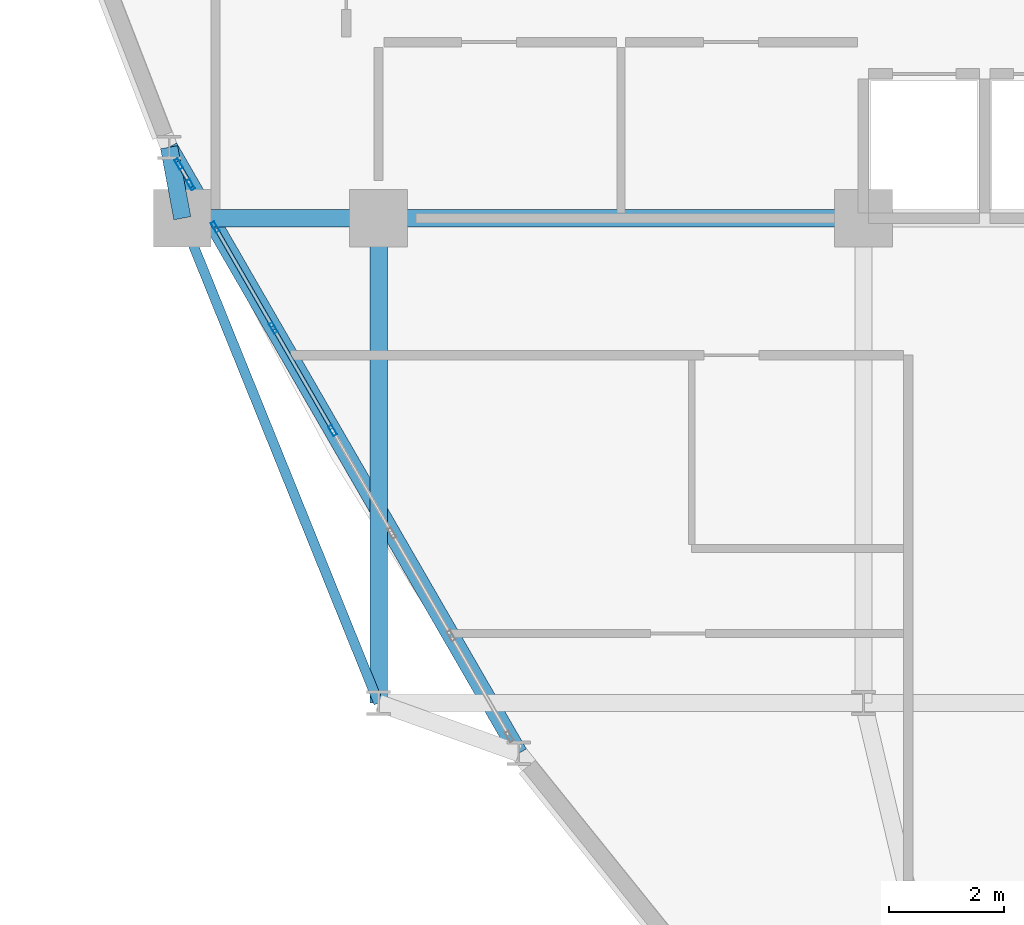
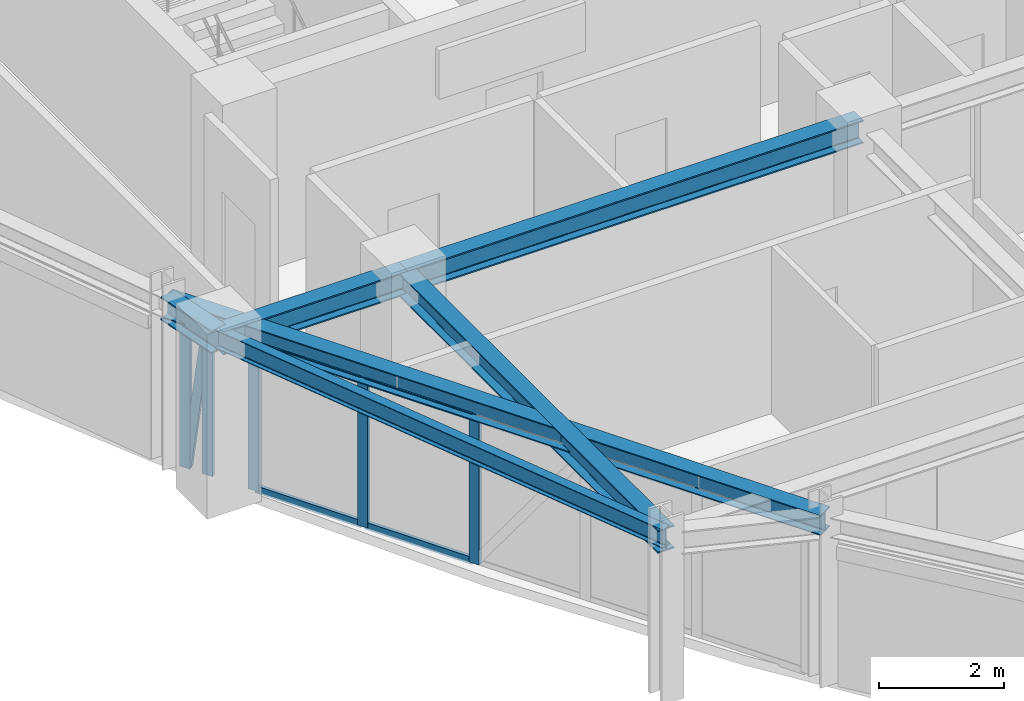
# One storey, part 5 of 16: 10 members, 6 beams, 2 elements without a shape of their own.
"""IFC4 building model written with IfcOpenShell, lengths in metres."""

from ifc_helpers import new_model, si_unit, derived_unit, direction, frame, origin, origin_2d, place, context, subcontext, project, spatial, hollow_rectangle, i_section, extrude, source, transform, mapped, material, layer, layer_set, material_profile, profile_set, type_object, element, aggregate, save


model = new_model("IFC4")

# Units and contexts
model_context = context("Model", 3, precision=1e-05, world=origin(), true_north=direction((0.0, 1.0)))
body_context = subcontext(model_context, "Body", "Model", "MODEL_VIEW")
ifc_project = project(units=[si_unit("LENGTHUNIT", "METRE"), si_unit("AREAUNIT", "SQUARE_METRE"), si_unit("VOLUMEUNIT", "CUBIC_METRE"), si_unit("PLANEANGLEUNIT", "RADIAN"), si_unit("MASSUNIT", "GRAM", prefix="KILO"), derived_unit("THERMALTRANSMITTANCEUNIT", [(si_unit("POWERUNIT", "WATT"), 1), (si_unit("LENGTHUNIT", "METRE"), -2), (si_unit("THERMODYNAMICTEMPERATUREUNIT", "KELVIN"), -1)])], contexts=[model_context])

# Site, building, storey
site_placement = place(None, origin())
site = spatial("IfcSite", under=ifc_project, at=site_placement, CompositionType="ELEMENT")
building_placement = place(site_placement, origin())
building = spatial("IfcBuilding", under=site, at=building_placement, Name="Korsvarv Bourse and Concert Hall", CompositionType="ELEMENT")
storey_placement = place(building_placement, frame((0.0, 0.0, 234.60009765625)))
storey = spatial("IfcBuildingStorey", under=building, at=storey_placement, Name="L61", CompositionType="ELEMENT", Elevation=234.60009765625)

# Beams
ifc_material_1 = material(Name="Steel S355", Category="steel")
ifc_material_profile_1 = material_profile(ifc_material_1, i_section(OverallWidth=0.169921875, OverallDepth=0.360107421875, WebThickness=0.008056640625, FlangeThickness=0.0126953125, FilletRadius=0.01806640625, at=origin_2d()), Name="IPE 360")
ifc_profile_set_1 = profile_set([ifc_material_profile_1], Name="Steel S355")
beam_type_1 = type_object("IfcBeamType", Name="BM-IPE360", PredefinedType="JOIST", material=ifc_profile_set_1)
shared_shape_1 = source(origin(), body_context, "Body", "SweptSolid", [
    extrude(i_section(OverallWidth=0.169921875, OverallDepth=0.360107421875, WebThickness=0.008056640625, FlangeThickness=0.0126953125, FilletRadius=0.01806640625, at=origin_2d()), origin(), (0.0, 0.0, 1.0), 9.06201171875),
])
beam_1_placement = place(storey_placement, frame((24.199951171875, 32.39990234375, 3.079833984375), z_axis=(0.375210394783, -0.926939674222, 0.0), x_axis=(0.926939674222, 0.375210394783, 0.0)))
element("IfcBeam", 1, at=beam_1_placement, inside=storey, type_object=beam_type_1, Name="L61 beam J-06", PredefinedType="JOIST", context=body_context, shape_type="MappedRepresentation", body=[
    mapped(shared_shape_1, transform((0.0, 0.0, 0.0), scale=1.0)),
])
ifc_material_profile_2 = material_profile(ifc_material_1, i_section(OverallWidth=0.300048828125, OverallDepth=0.449951171875, WebThickness=0.013916015625, FlangeThickness=0.02587890625, FilletRadius=0.02099609375, at=origin_2d()), Name="HEB 450")
ifc_profile_set_2 = profile_set([ifc_material_profile_2], Name="Steel S355")
beam_type_2 = type_object("IfcBeamType", Name="BM-HEB450", PredefinedType="SPANDREL", material=ifc_profile_set_2)
shared_shape_2 = source(origin(), body_context, "Body", "SweptSolid", [
    extrude(i_section(OverallWidth=0.300048828125, OverallDepth=0.449951171875, WebThickness=0.013916015625, FlangeThickness=0.02587890625, FilletRadius=0.02099609375, at=origin_2d()), origin(), (0.0, 0.0, 1.0), 3.400146484375),
])
beam_2_placement = place(storey_placement, frame((24.199951171875, 32.39990234375, 3.034912109375), z_axis=(1.0, 0.0, 0.0), x_axis=(0.0, 1.0, 0.0)))
element("IfcBeam", 2, at=beam_2_placement, inside=storey, type_object=beam_type_2, Name="L61 beam B-08", PredefinedType="SPANDREL", context=body_context, shape_type="MappedRepresentation", body=[
    mapped(shared_shape_2, transform((0.0, 0.0, 0.0), scale=1.0)),
])
shared_shape_3 = source(origin(), body_context, "Body", "SweptSolid", [
    extrude(i_section(OverallWidth=0.300048828125, OverallDepth=0.449951171875, WebThickness=0.013916015625, FlangeThickness=0.02587890625, FilletRadius=0.02099609375, at=origin_2d()), origin(), (0.0, 0.0, 1.0), 8.39990234375),
])
for number, where, z_axis, x_axis, name in (
    (3, (27.60009765625, 32.39990234375, 3.034912109375), (1.0, 0.0, 0.0), (0.0, 1.0, 0.0), "L61 beam B-08"),
    (4, (27.60009765625, 24.0, 3.034912109375), (0.0, 1.0, 0.0), (-1.0, 0.0, 0.0), "L61 beam B-08"),
):
    element("IfcBeam", number, at=place(storey_placement, frame(where, z_axis=z_axis, x_axis=x_axis)), inside=storey, type_object=beam_type_2, Name=name, PredefinedType="SPANDREL", context=body_context, shape_type="MappedRepresentation", body=[
        mapped(shared_shape_3, transform((0.0, 0.0, 0.0), scale=1.0)),
    ])
ifc_material_profile_3 = material_profile(ifc_material_1, i_section(OverallWidth=0.300048828125, OverallDepth=0.389892578125, WebThickness=0.010986328125, FlangeThickness=0.01904296875, FilletRadius=0.02099609375, at=origin_2d()), Name="HEA 400")
ifc_profile_set_3 = profile_set([ifc_material_profile_3], Name="Steel S355")
beam_type_3 = type_object("IfcBeamType", Name="BM-HEA400", PredefinedType="BEAM", material=ifc_profile_set_3)
shared_shape_4 = source(origin(), body_context, "Body", "SweptSolid", [
    extrude(i_section(OverallWidth=0.300048828125, OverallDepth=0.389892578125, WebThickness=0.010986328125, FlangeThickness=0.01904296875, FilletRadius=0.02099609375, at=origin_2d()), origin(), (0.0, 0.0, 1.0), 12.12353515625),
])
beam_3_placement = place(storey_placement, frame((23.969970703125, 33.629150390625, 3.06494140625), z_axis=(0.500000780442, -0.866024953196, 0.0), x_axis=(0.866024953196, 0.500000780442, 0.0)))
element("IfcBeam", 5, at=beam_3_placement, inside=storey, type_object=beam_type_3, Name="L61 beam B-11", PredefinedType="BEAM", context=body_context, shape_type="MappedRepresentation", body=[
    mapped(shared_shape_4, transform((0.0, 0.0, 0.0), scale=1.0)),
])
shared_shape_5 = source(origin(), body_context, "Body", "SweptSolid", [
    extrude(i_section(OverallWidth=0.300048828125, OverallDepth=0.449951171875, WebThickness=0.013916015625, FlangeThickness=0.02587890625, FilletRadius=0.02099609375, at=origin_2d()), origin(), (0.0, 0.0, 1.0), 1.25048828125),
])
beam_4_placement = place(storey_placement, frame((23.969970703125, 33.629150390625, 3.034912109375), z_axis=(0.183899549093, -0.982945042128, 0.0), x_axis=(0.982945042128, 0.183899549093, 0.0)))
element("IfcBeam", 6, at=beam_4_placement, inside=storey, type_object=beam_type_2, Name="L61 beam B-08", PredefinedType="SPANDREL", context=body_context, shape_type="MappedRepresentation", body=[
    mapped(shared_shape_5, transform((0.0, 0.0, 0.0), scale=1.0)),
])

# Curtain wall, members
ifc_material_2 = material(Name="Anodised aluminium and triple low-E glazing", Category="glass")
ifc_layer = layer(ifc_material_2, 0.199951171875)
ifc_layer_set = layer_set([ifc_layer], Name="Anodised aluminium and triple low-E glazing")
curtain_wall_type = type_object("IfcCurtainWallType", Name="CW-SYS-3", PredefinedType="NOTDEFINED", material=ifc_layer_set)
curtain_wall_1_placement = place(storey_placement, origin())
curtain_wall_1 = element("IfcCurtainWall", 7, at=curtain_wall_1_placement, inside=storey, type_object=curtain_wall_type, Name="L61 CW3 curtain wall CW-L61-F07-2", PredefinedType="NOTDEFINED")
ifc_material_3 = material(Name="Extruded aluminium EN AW-6063 T66", Category="aluminium")
ifc_material_profile_4 = material_profile(ifc_material_3, hollow_rectangle(XDim=0.06494140625, YDim=0.139892578125, WallThickness=0.00390625, at=origin_2d()), Name="ALU-T 65x140")
ifc_profile_set_4 = profile_set([ifc_material_profile_4], Name="Extruded aluminium EN AW-6063 T66")
member_type_1 = type_object("IfcMemberType", Name="CWT-140", PredefinedType="USERDEFINED", material=ifc_profile_set_4)
shared_shape_6 = source(origin(), body_context, "Body", "SweptSolid", [
    extrude(hollow_rectangle(XDim=0.06494140625, YDim=0.139892578125, WallThickness=0.00390625, at=origin_2d()), origin(), (0.0, 0.0, 1.0), 1.947998046875),
])
member_1_placement = place(storey_placement, frame((24.784912109375, 32.21728515625, 0.032470703125), z_axis=(0.500047902311, -0.865997745606, 0.0), x_axis=(0.865997745606, 0.500047902311, 0.0)))
member_1 = element("IfcMember", 8, at=member_1_placement, type_object=member_type_1, Name="CW3 transom 1.1", ObjectType="TRANSOM", PredefinedType="USERDEFINED", context=body_context, shape_type="MappedRepresentation", body=[
    mapped(shared_shape_6, transform((0.0, 0.0, 0.0), scale=1.0)),
])
member_2_placement = place(storey_placement, frame((24.784912109375, 32.21728515625, 2.83740234375), z_axis=(0.500047902311, -0.865997745606, 0.0), x_axis=(0.865997745606, 0.500047902311, 0.0)))
member_2 = element("IfcMember", 9, at=member_2_placement, type_object=member_type_1, Name="CW3 transom 1.2", ObjectType="TRANSOM", PredefinedType="USERDEFINED", context=body_context, shape_type="MappedRepresentation", body=[
    mapped(shared_shape_6, transform((0.0, 0.0, 0.0), scale=1.0)),
])
shared_shape_7 = source(origin(), body_context, "Body", "SweptSolid", [
    extrude(hollow_rectangle(XDim=0.06494140625, YDim=0.139892578125, WallThickness=0.00390625, at=origin_2d()), origin(), (0.0, 0.0, 1.0), 1.983154296875),
])
member_3_placement = place(storey_placement, frame((25.7939453125, 30.469482421875, 0.032470703125), z_axis=(0.500084779935, -0.865976450533, 0.0), x_axis=(0.865976450533, 0.500084779935, 0.0)))
member_3 = element("IfcMember", 10, at=member_3_placement, type_object=member_type_1, Name="CW3 transom 2.1", ObjectType="TRANSOM", PredefinedType="USERDEFINED", context=body_context, shape_type="MappedRepresentation", body=[
    mapped(shared_shape_7, transform((0.0, 0.0, 0.0), scale=1.0)),
])
member_4_placement = place(storey_placement, frame((25.7939453125, 30.469482421875, 2.83740234375), z_axis=(0.500084779935, -0.865976450533, 0.0), x_axis=(0.865976450533, 0.500084779935, 0.0)))
member_4 = element("IfcMember", 11, at=member_4_placement, type_object=member_type_1, Name="CW3 transom 2.2", ObjectType="TRANSOM", PredefinedType="USERDEFINED", context=body_context, shape_type="MappedRepresentation", body=[
    mapped(shared_shape_7, transform((0.0, 0.0, 0.0), scale=1.0)),
])
ifc_material_profile_5 = material_profile(ifc_material_3, hollow_rectangle(XDim=0.070068359375, YDim=0.18994140625, WallThickness=0.0048828125, at=origin_2d()), Name="ALU-M 70x190")
ifc_profile_set_5 = profile_set([ifc_material_profile_5], Name="Extruded aluminium EN AW-6063 T66")
member_type_2 = type_object("IfcMemberType", Name="CWM-190", PredefinedType="MULLION", material=ifc_profile_set_5)
shared_shape_8 = source(origin(), body_context, "Body", "SweptSolid", [
    extrude(hollow_rectangle(XDim=0.070068359375, YDim=0.18994140625, WallThickness=0.0048828125, at=origin_2d()), origin(), (0.0, 0.0, 1.0), 2.869873046875),
])
member_5_placement = place(storey_placement, frame((24.767578125, 32.24755859375, 0.0), z_axis=(0.0, 0.0, 1.0), x_axis=(0.866025472463, 0.499999881045, 0.0)))
member_5 = element("IfcMember", 12, at=member_5_placement, type_object=member_type_2, Name="CW3 mullion 1", PredefinedType="MULLION", context=body_context, shape_type="MappedRepresentation", body=[
    mapped(shared_shape_8, transform((0.0, 0.0, 0.0), scale=1.0)),
])
member_6_placement = place(storey_placement, frame((25.776611328125, 30.5, 0.0), z_axis=(0.0, 0.0, 1.0), x_axis=(0.866025472463, 0.499999881045, 0.0)))
member_6 = element("IfcMember", 13, at=member_6_placement, type_object=member_type_2, Name="CW3 mullion 2", PredefinedType="MULLION", context=body_context, shape_type="MappedRepresentation", body=[
    mapped(shared_shape_8, transform((0.0, 0.0, 0.0), scale=1.0)),
])
member_7_placement = place(storey_placement, frame((26.802978515625, 28.721923828125, 0.0), z_axis=(0.0, 0.0, 1.0), x_axis=(0.866025472463, 0.499999881045, 0.0)))
member_7 = element("IfcMember", 14, at=member_7_placement, type_object=member_type_2, Name="CW3 mullion 3", PredefinedType="MULLION", context=body_context, shape_type="MappedRepresentation", body=[
    mapped(shared_shape_8, transform((0.0, 0.0, 0.0), scale=1.0)),
])
aggregate(curtain_wall_1, [member_5, member_6, member_7, member_1, member_2, member_3, member_4])

curtain_wall_2_placement = place(storey_placement, origin())
curtain_wall_2 = element("IfcCurtainWall", 15, at=curtain_wall_2_placement, inside=storey, type_object=curtain_wall_type, Name="L61 CW3 curtain wall CW-L61-F07-1", PredefinedType="NOTDEFINED")
shared_shape_9 = source(origin(), body_context, "Body", "SweptSolid", [
    extrude(hollow_rectangle(XDim=0.070068359375, YDim=0.18994140625, WallThickness=0.0048828125, at=origin_2d()), origin(), (0.0, 0.0, 1.0), 2.809814453125),
])
member_8_placement = place(storey_placement, frame((24.136474609375, 33.3408203125, 0.0), z_axis=(0.0, 0.0, 1.0), x_axis=(0.866045171745, 0.499965759325, 0.0)))
member_8 = element("IfcMember", 16, at=member_8_placement, type_object=member_type_2, Name="CW3 mullion 1", PredefinedType="MULLION", context=body_context, shape_type="MappedRepresentation", body=[
    mapped(shared_shape_9, transform((0.0, 0.0, 0.0), scale=1.0)),
])
member_9_placement = place(storey_placement, frame((24.344482421875, 32.980224609375, 0.0), z_axis=(0.0, 0.0, 1.0), x_axis=(0.866045171745, 0.499965759325, 0.0)))
member_9 = element("IfcMember", 17, at=member_9_placement, type_object=member_type_2, Name="CW3 mullion 2", PredefinedType="MULLION", context=body_context, shape_type="MappedRepresentation", body=[
    mapped(shared_shape_9, transform((0.0, 0.0, 0.0), scale=1.0)),
])
ifc_material_profile_6 = material_profile(ifc_material_3, hollow_rectangle(XDim=0.06494140625, YDim=0.1650390625, WallThickness=0.0048828125, at=origin_2d()), Name="ALU-M 65x165")
ifc_profile_set_6 = profile_set([ifc_material_profile_6], Name="Extruded aluminium EN AW-6063 T66")
member_type_3 = type_object("IfcMemberType", Name="CWM-165", PredefinedType="MULLION", material=ifc_profile_set_6)
shared_shape_10 = source(origin(), body_context, "Body", "SweptSolid", [
    extrude(hollow_rectangle(XDim=0.06494140625, YDim=0.1650390625, WallThickness=0.0048828125, at=origin_2d()), origin(), (0.0, 0.0, 1.0), 2.7021484375),
])
member_10_placement = place(storey_placement, frame((24.15380859375, 33.310546875, 0.06494140625), z_axis=(0.064057352315, -0.110948418395, 0.991759599938), x_axis=(0.866021168401, 0.500007335828, 0.0)))
member_10 = element("IfcMember", 18, at=member_10_placement, type_object=member_type_3, Name="CW3 diagonal mullion 1", PredefinedType="MULLION", context=body_context, shape_type="MappedRepresentation", body=[
    mapped(shared_shape_10, transform((0.0, 0.0, 0.0), scale=1.0)),
])
aggregate(curtain_wall_2, [member_8, member_9, member_10])

save(model, "model.ifc")
